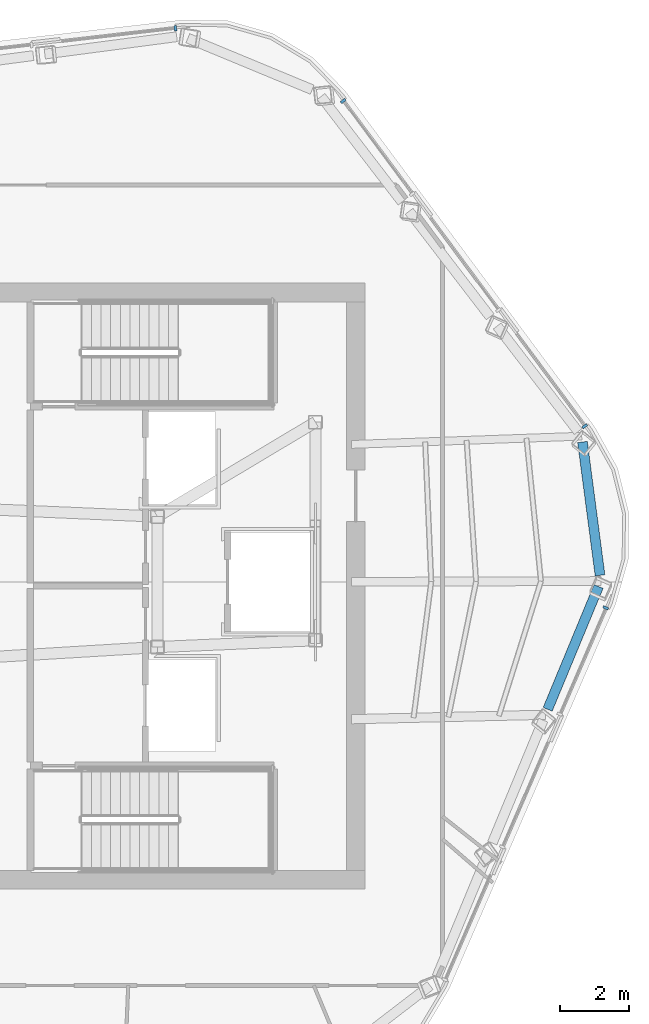
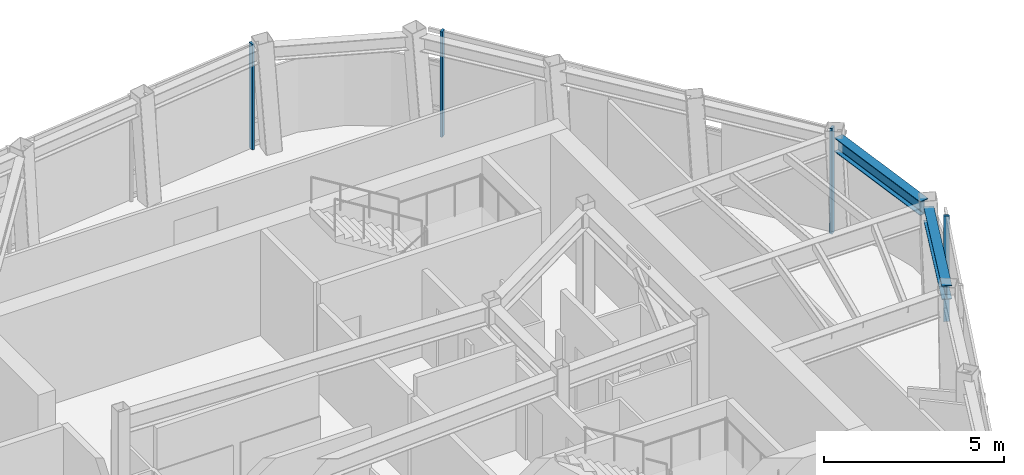
# One storey, part 4 of 11: 4 members, 2 beams, 3 elements without a shape of their own.
"""IFC4 building model written with IfcOpenShell, lengths in metres."""

from ifc_helpers import new_model, si_unit, direction, frame, origin, origin_2d, place, context, subcontext, project, spatial, rectangle, i_section, extrude, material, layer, layer_set, material_profile, profile_set, type_object, element, aggregate, save


model = new_model("IFC4")

# Units and contexts
model_context = context("Model", 3, precision=1e-05, world=origin(), true_north=direction((0.0, 1.0)))
body_context = subcontext(model_context, "Body", "Model", "MODEL_VIEW")
ifc_project = project(units=[si_unit("LENGTHUNIT", "METRE"), si_unit("AREAUNIT", "SQUARE_METRE"), si_unit("VOLUMEUNIT", "CUBIC_METRE"), si_unit("PLANEANGLEUNIT", "RADIAN"), si_unit("MASSUNIT", "GRAM", prefix="KILO")], contexts=[model_context])

# Site, building, storey
site_placement = place(None, origin())
site = spatial("IfcSite", under=ifc_project, at=site_placement, CompositionType="ELEMENT")
building_placement = place(site_placement, origin())
building = spatial("IfcBuilding", under=site, at=building_placement, Name="Valkerne Bourse Tower", CompositionType="ELEMENT")
storey_placement = place(building_placement, frame((0.0, 0.0, 311.60009765625)))
storey = spatial("IfcBuildingStorey", under=building, at=storey_placement, Name="L79", CompositionType="ELEMENT", Elevation=311.60009765625)

# Beams
ifc_material_1 = material(Name="Steel ASTM A992", Category="steel")
ifc_material_profile_1 = material_profile(ifc_material_1, i_section(OverallWidth=0.284423828125, OverallDepth=0.47509765625, WebThickness=0.014892578125, FlangeThickness=0.02392578125, FilletRadius=0.017822265625, at=origin_2d()), Name="W18X106")
ifc_profile_set_1 = profile_set([ifc_material_profile_1], Name="Steel ASTM A992")
beam_type = type_object("IfcBeamType", Name="BM-W18X106", PredefinedType="BEAM", material=ifc_profile_set_1)
beam_1_placement = place(storey_placement, frame((61.712890625, 23.28662109375, 3.34228515625), z_axis=(0.382680358343, 0.923880805807, 0.0), x_axis=(-0.923880805807, 0.382680358343, 0.0)))
element("IfcBeam", 1, at=beam_1_placement, inside=storey, type_object=beam_type, Name="L79 Hexagonal Spandrel Ring Beam 18", PredefinedType="BEAM", context=body_context, shape_type="SweptSolid", body=[
    extrude(i_section(OverallWidth=0.284423828125, OverallDepth=0.47509765625, WebThickness=0.014892578125, FlangeThickness=0.02392578125, FilletRadius=0.017822265625, at=origin_2d()), origin(), (0.0, 0.0, 1.0), 3.871826171875),
])
beam_2_placement = place(storey_placement, frame((63.2373046875, 27.189208984375, 3.34228515625), z_axis=(-0.130493219672, 0.991449201734, 0.0), x_axis=(-0.991449201734, -0.130493219672, 0.0)))
element("IfcBeam", 2, at=beam_2_placement, inside=storey, type_object=beam_type, Name="L79 Hexagonal Spandrel Ring Beam 19", PredefinedType="BEAM", context=body_context, shape_type="SweptSolid", body=[
    extrude(i_section(OverallWidth=0.284423828125, OverallDepth=0.47509765625, WebThickness=0.014892578125, FlangeThickness=0.02392578125, FilletRadius=0.017822265625, at=origin_2d()), origin(), (0.0, 0.0, 1.0), 3.915771484375),
])

# Curtain wall, member
ifc_material_2 = material(Name="Aluminium AA 6063-T6", Category="aluminium")
ifc_layer = layer(ifc_material_2, 0.25)
ifc_layer_set = layer_set([ifc_layer], Name="Aluminium AA 6063-T6")
curtain_wall_type = type_object("IfcCurtainWallType", Name="CW-06", PredefinedType="NOTDEFINED", material=ifc_layer_set)
curtain_wall_1_placement = place(storey_placement, origin())
curtain_wall_1 = element("IfcCurtainWall", 3, at=curtain_wall_1_placement, inside=storey, type_object=curtain_wall_type, Name="L79 Hexagonal Stick Curtain Wall Face 1", PredefinedType="NOTDEFINED")
ifc_material_profile_2 = material_profile(ifc_material_2, rectangle(XDim=0.074951171875, YDim=0.159912109375, at=origin_2d()), Name="CWM-75X160")
ifc_profile_set_2 = profile_set([ifc_material_profile_2], Name="Aluminium AA 6063-T6")
member_type = type_object("IfcMemberType", Name="CW-MUL-160X75", PredefinedType="MULLION", material=ifc_profile_set_2)
member_1_placement = place(storey_placement, frame((50.872802734375, 43.11376953125, 0.0), z_axis=(0.0, 0.0, 1.0), x_axis=(-0.993373223363, -0.114933194098, 0.0)))
member_1 = element("IfcMember", 4, at=member_1_placement, type_object=member_type, Name="CW-L79-F1 Jamb Mullion 00A", PredefinedType="MULLION", context=body_context, shape_type="SweptSolid", body=[
    extrude(rectangle(XDim=0.074951171875, YDim=0.159912109375, at=origin_2d()), origin(), (0.0, 0.0, 1.0), 3.579833984375),
])
aggregate(curtain_wall_1, [member_1])

curtain_wall_2_placement = place(storey_placement, origin())
curtain_wall_2 = element("IfcCurtainWall", 5, at=curtain_wall_2_placement, inside=storey, type_object=curtain_wall_type, Name="L79 Hexagonal Stick Curtain Wall Face 5", PredefinedType="NOTDEFINED")
member_2_placement = place(storey_placement, frame((63.403076171875, 26.24169921875, 0.0), z_axis=(0.0, 0.0, 1.0), x_axis=(0.397148991364, 0.917754149355, 0.0)))
member_2 = element("IfcMember", 6, at=member_2_placement, type_object=member_type, Name="CW-L79-F5 Jamb Mullion 02B", PredefinedType="MULLION", context=body_context, shape_type="SweptSolid", body=[
    extrude(rectangle(XDim=0.074951171875, YDim=0.159912109375, at=origin_2d()), origin(), (0.0, 0.0, 1.0), 3.579833984375),
])
aggregate(curtain_wall_2, [member_2])

# Curtain wall, members
curtain_wall_3_placement = place(storey_placement, origin())
curtain_wall_3 = element("IfcCurtainWall", 7, at=curtain_wall_3_placement, inside=storey, type_object=curtain_wall_type, Name="L79 Hexagonal Stick Curtain Wall Face 6", PredefinedType="NOTDEFINED")
member_3_placement = place(storey_placement, frame((62.791259765625, 31.529541015625, 0.0), z_axis=(0.0, 0.0, 1.0), x_axis=(-0.596232638895, 0.80281170913, 0.0)))
member_3 = element("IfcMember", 8, at=member_3_placement, type_object=member_type, Name="CW-L79-F6 Jamb Mullion 00A", PredefinedType="MULLION", context=body_context, shape_type="SweptSolid", body=[
    extrude(rectangle(XDim=0.074951171875, YDim=0.159912109375, at=origin_2d()), origin(), (0.0, 0.0, 1.0), 3.579833984375),
])
member_4_placement = place(storey_placement, frame((55.75830078125, 40.99951171875, 0.0), z_axis=(0.0, 0.0, 1.0), x_axis=(-0.59622127464, 0.802820149017, 0.0)))
member_4 = element("IfcMember", 9, at=member_4_placement, type_object=member_type, Name="CW-L79-F6 Jamb Mullion 02B", PredefinedType="MULLION", context=body_context, shape_type="SweptSolid", body=[
    extrude(rectangle(XDim=0.074951171875, YDim=0.159912109375, at=origin_2d()), origin(), (0.0, 0.0, 1.0), 3.579833984375),
])
aggregate(curtain_wall_3, [member_3, member_4])

save(model, "model.ifc")
